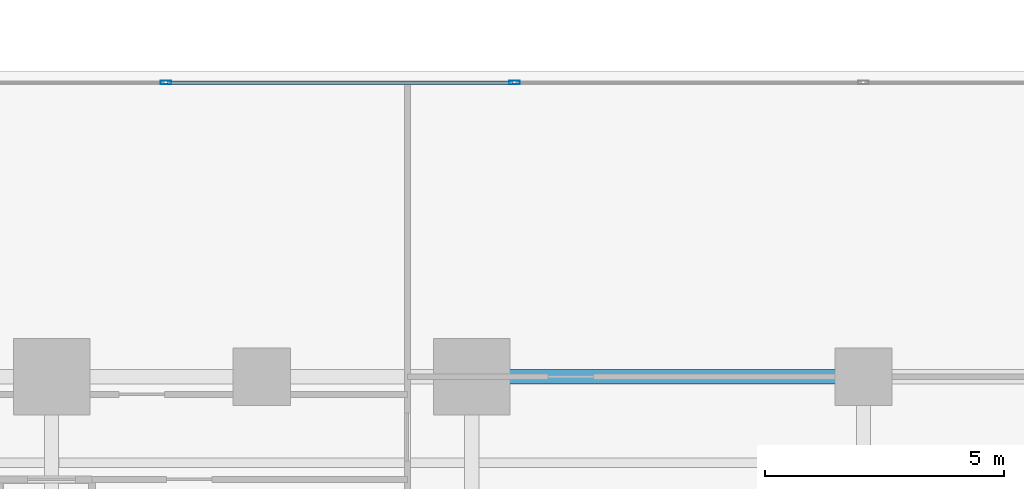
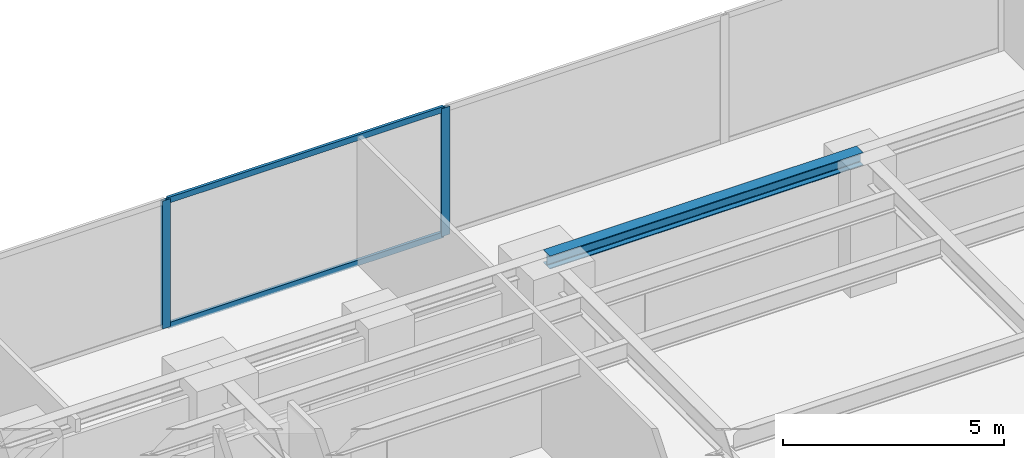
# One storey, part 13 of 28: 4 members, 1 beam, 1 element without a shape of its own.
"""IFC4 building model written with IfcOpenShell, lengths in metres."""

from ifc_helpers import new_model, si_unit, direction, frame, origin, origin_with_axes, origin_2d, place, context, subcontext, project, spatial, hollow_rectangle, i_section, extrude, source, transform, mapped, material, layer, layer_set, material_profile, profile_set, type_object, element, aggregate, save


model = new_model("IFC4")

# Units and contexts
model_context = context("Model", 3, precision=1e-05, world=origin(), true_north=direction((0.0, 1.0)))
body_context = subcontext(model_context, "Body", "Model", "MODEL_VIEW")
ifc_project = project(units=[si_unit("LENGTHUNIT", "METRE"), si_unit("AREAUNIT", "SQUARE_METRE"), si_unit("VOLUMEUNIT", "CUBIC_METRE"), si_unit("PLANEANGLEUNIT", "RADIAN"), si_unit("MASSUNIT", "GRAM", prefix="KILO")], contexts=[model_context])

# Site, building, storey
site_placement = place(None, origin())
site = spatial("IfcSite", under=ifc_project, at=site_placement, CompositionType="ELEMENT")
building_placement = place(site_placement, origin())
building = spatial("IfcBuilding", under=site, at=building_placement, Name="Kolvaren Waterfront Exchange", CompositionType="ELEMENT")
storey_placement = place(building_placement, frame((0.0, 0.0, 41.0)))
storey = spatial("IfcBuildingStorey", under=building, at=storey_placement, Name="L10", CompositionType="ELEMENT", Elevation=41.0)

# Beam
ifc_material_1 = material(Name="Steel S355", Category="steel")
ifc_material_profile_1 = material_profile(ifc_material_1, i_section(OverallWidth=0.300048828125, OverallDepth=0.360107421875, WebThickness=0.012451171875, FlangeThickness=0.0224609375, FilletRadius=0.027099609375, at=origin_2d()), Name="HEB360")
ifc_profile_set_1 = profile_set([ifc_material_profile_1], Name="Steel S355")
beam_type = type_object("IfcBeamType", Name="STR-BM-HEB360", PredefinedType="SPANDREL", material=ifc_profile_set_1)
beam_placement = place(storey_placement, frame((45.60009765625, 17.39990234375, 3.360107421875), z_axis=(1.0, 0.0, 0.0), x_axis=(0.0, 1.0, 0.0)))
element("IfcBeam", 1, at=beam_placement, inside=storey, type_object=beam_type, Name="L10 east-arm spandrel N4", PredefinedType="SPANDREL", context=body_context, shape_type="SweptSolid", body=[
    extrude(i_section(OverallWidth=0.300048828125, OverallDepth=0.360107421875, WebThickness=0.012451171875, FlangeThickness=0.0224609375, FilletRadius=0.027099609375, at=origin_2d()), origin(), (0.0, 0.0, 1.0), 8.199951171875),
])

# Curtain wall, members
ifc_material_2 = material(Name="Anodised bronze aluminium 6063-T6", Category="aluminium")
ifc_layer = layer(ifc_material_2, 0.219970703125, Name="Anodised bronze aluminium 6063-T6")
ifc_layer_set = layer_set([ifc_layer], Name="Anodised bronze aluminium 6063-T6")
curtain_wall_type = type_object("IfcCurtainWallType", Name="ARC-CW-SYS1", PredefinedType="USERDEFINED", material=ifc_layer_set)
curtain_wall_placement = place(storey_placement, origin())
curtain_wall = element("IfcCurtainWall", 2, at=curtain_wall_placement, inside=storey, type_object=curtain_wall_type, Name="L10 stick curtain wall CW1 (CW-L10-EN)", ObjectType="STICK CURTAIN WALL", PredefinedType="USERDEFINED")
ifc_material_3 = material(Name="Anodised aluminium 6063-T6", Category="aluminium")
ifc_material_profile_2 = material_profile(ifc_material_3, hollow_rectangle(XDim=0.074951171875, YDim=0.159912109375, WallThickness=0.00439453125, at=origin_2d()), Name="ALU-TRN-160x75x4.5")
ifc_profile_set_2 = profile_set([ifc_material_profile_2], Name="Anodised aluminium 6063-T6")
member_type_1 = type_object("IfcMemberType", Name="ARC-CWT-160", PredefinedType="USERDEFINED", material=ifc_profile_set_2)
shared_shape_1 = source(origin_with_axes(), body_context, "Body", "SweptSolid", [
    extrude(hollow_rectangle(XDim=0.074951171875, YDim=0.159912109375, WallThickness=0.00439453125, at=origin_2d()), origin(), (0.0, 0.0, 1.0), 7.22265625),
])
member_1_placement = place(storey_placement, frame((39.232421875, 23.56005859375, 0.03759765625), z_axis=(1.0, 0.0, 0.0), x_axis=(0.0, 1.0, 0.0)))
member_1 = element("IfcMember", 3, at=member_1_placement, type_object=member_type_1, Name="CW1 transom 2.1", ObjectType="TRANSOM", PredefinedType="USERDEFINED", context=body_context, shape_type="MappedRepresentation", body=[
    mapped(shared_shape_1, transform((0.0, 0.0, 0.0), x_axis=(1.0, 0.0, 0.0), y_axis=(0.0, 1.0, 0.0), z_axis=(0.0, 0.0, 1.0), scale=1.0)),
])
member_2_placement = place(storey_placement, frame((39.232421875, 23.56005859375, 3.50244140625), z_axis=(1.0, 0.0, 0.0), x_axis=(0.0, 1.0, 0.0)))
member_2 = element("IfcMember", 4, at=member_2_placement, type_object=member_type_1, Name="CW1 transom 2.2", ObjectType="TRANSOM", PredefinedType="USERDEFINED", context=body_context, shape_type="MappedRepresentation", body=[
    mapped(shared_shape_1, transform((0.0, 0.0, 0.0), x_axis=(1.0, 0.0, 0.0), y_axis=(0.0, 1.0, 0.0), z_axis=(0.0, 0.0, 1.0), scale=1.0)),
])
ifc_material_profile_3 = material_profile(ifc_material_3, hollow_rectangle(XDim=0.080078125, YDim=0.219970703125, WallThickness=0.0048828125, at=origin_2d()), Name="ALU-MUL-220x80x5")
ifc_profile_set_3 = profile_set([ifc_material_profile_3], Name="Anodised aluminium 6063-T6")
member_type_2 = type_object("IfcMemberType", Name="ARC-CWM-220", PredefinedType="MULLION", material=ifc_profile_set_3)
shared_shape_2 = source(origin_with_axes(), body_context, "Body", "SweptSolid", [
    extrude(hollow_rectangle(XDim=0.080078125, YDim=0.219970703125, WallThickness=0.0048828125, at=origin_2d()), origin(), (0.0, 0.0, 1.0), 3.5400390625),
])
member_3_placement = place(storey_placement, frame((39.1923828125, 23.56005859375, 0.0), z_axis=(0.0, 0.0, 1.0), x_axis=(0.0, 1.0, 0.0)))
member_3 = element("IfcMember", 5, at=member_3_placement, type_object=member_type_2, Name="CW1 mullion 2", PredefinedType="MULLION", context=body_context, shape_type="MappedRepresentation", body=[
    mapped(shared_shape_2, transform((0.0, 0.0, 0.0), x_axis=(1.0, 0.0, 0.0), y_axis=(0.0, 1.0, 0.0), z_axis=(0.0, 0.0, 1.0), scale=1.0)),
])
member_4_placement = place(storey_placement, frame((46.4951171875, 23.56005859375, 0.0), z_axis=(0.0, 0.0, 1.0), x_axis=(0.0, 1.0, 0.0)))
member_4 = element("IfcMember", 6, at=member_4_placement, type_object=member_type_2, Name="CW1 mullion 3", PredefinedType="MULLION", context=body_context, shape_type="MappedRepresentation", body=[
    mapped(shared_shape_2, transform((0.0, 0.0, 0.0), x_axis=(1.0, 0.0, 0.0), y_axis=(0.0, 1.0, 0.0), z_axis=(0.0, 0.0, 1.0), scale=1.0)),
])
aggregate(curtain_wall, [member_3, member_4, member_1, member_2])

save(model, "model.ifc")
